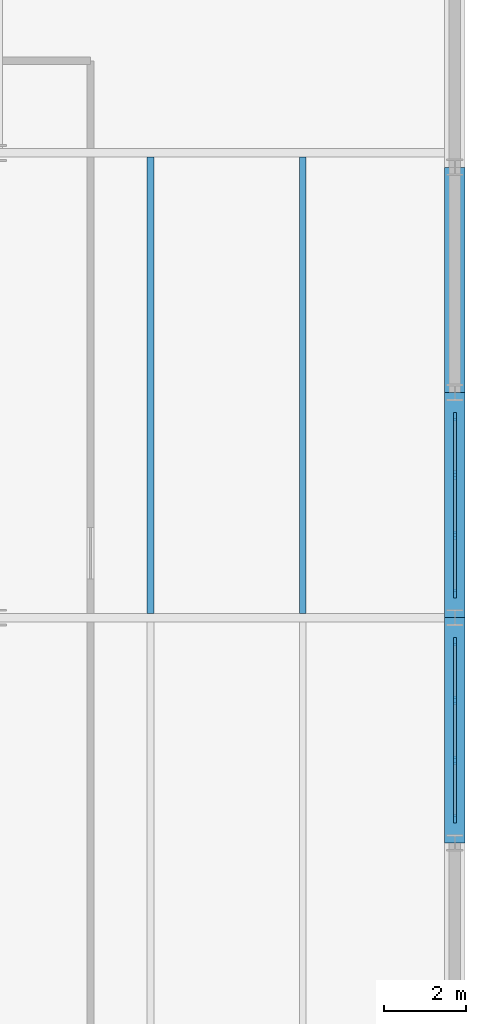
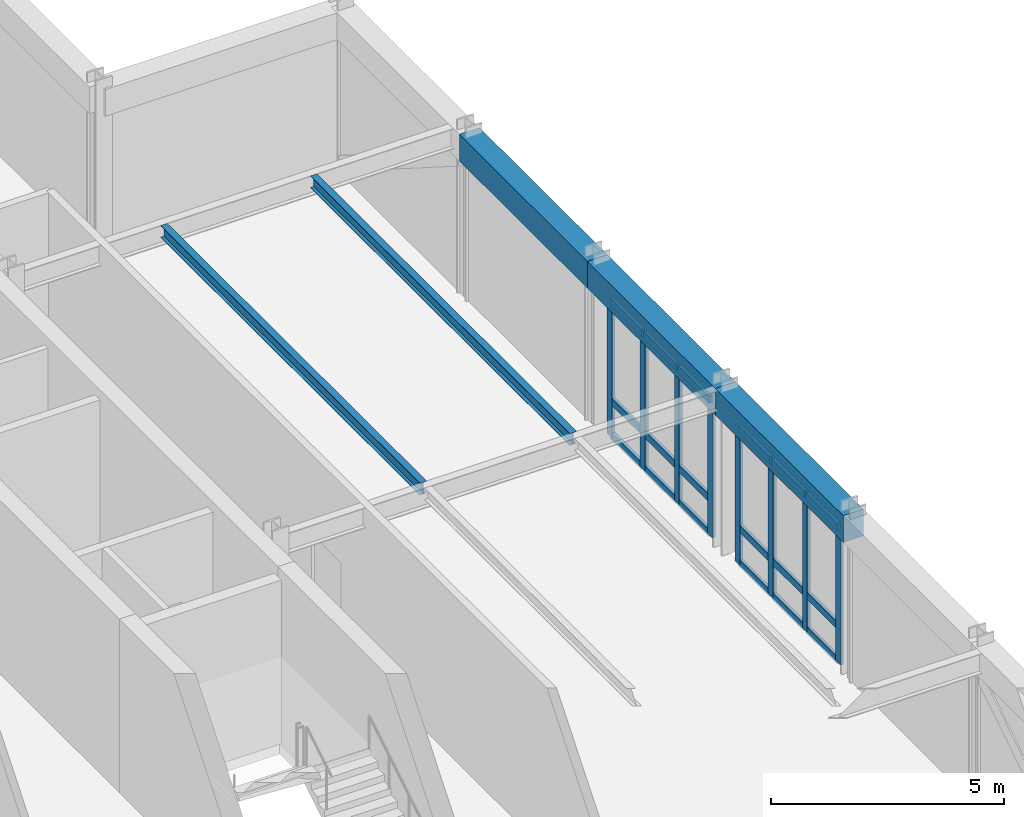
# One storey, part 4 of 9: 26 members, 5 beams, 2 elements without a shape of their own.
"""IFC4 building model written with IfcOpenShell, lengths in metres."""

from ifc_helpers import new_model, si_unit, direction, frame, origin, origin_2d, place, context, subcontext, project, spatial, rectangle, i_section, extrude, material, layer, layer_set, material_profile, profile_set, type_object, element, aggregate, save


model = new_model("IFC4")

# Units and contexts
model_context = context("Model", 3, precision=1e-05, world=origin(), true_north=direction((0.0, 1.0)))
body_context = subcontext(model_context, "Body", "Model", "MODEL_VIEW")
ifc_project = project(units=[si_unit("LENGTHUNIT", "METRE"), si_unit("AREAUNIT", "SQUARE_METRE"), si_unit("VOLUMEUNIT", "CUBIC_METRE"), si_unit("PLANEANGLEUNIT", "RADIAN"), si_unit("MASSUNIT", "GRAM", prefix="KILO")], contexts=[model_context])

# Site, building, storey
site_placement = place(None, origin())
site = spatial("IfcSite", under=ifc_project, at=site_placement, CompositionType="ELEMENT")
building_placement = place(site_placement, origin())
building = spatial("IfcBuilding", under=site, at=building_placement, Name="Nhamokura Convention Tower", CompositionType="ELEMENT")
storey_placement = place(building_placement, frame((0.0, 0.0, 313.25)))
storey = spatial("IfcBuildingStorey", under=building, at=storey_placement, Name="L77", CompositionType="ELEMENT", Elevation=313.25)

# Curtain wall, members
ifc_material_1 = material(Name="Anodised bronze aluminium AA6063-T6", Category="aluminium")
ifc_layer = layer(ifc_material_1, 0.2099609375)
ifc_layer_set = layer_set([ifc_layer], Name="CWSystem_SlantedCrown")
curtain_wall_type = type_object("IfcCurtainWallType", Name="CWSystem_SlantedCrown", PredefinedType="NOTDEFINED", material=ifc_layer_set)
curtain_wall_1_placement = place(storey_placement, origin())
curtain_wall_1 = element("IfcCurtainWall", 1, at=curtain_wall_1_placement, inside=storey, type_object=curtain_wall_type, Name="L77 Curtain Wall ENV-L77-CRCW-E2", PredefinedType="NOTDEFINED")
ifc_material_2 = material(Name="Anodised bronze aluminium AA6063-T6", Category="aluminium")
ifc_material_profile_1 = material_profile(ifc_material_2, rectangle(XDim=0.080078125, YDim=0.2099609375, at=origin_2d()))
ifc_profile_set_1 = profile_set([ifc_material_profile_1], Name="Anodised bronze aluminium AA6063-T6")
member_type_1 = type_object("IfcMemberType", Name="CWMullion_4", PredefinedType="MULLION", material=ifc_profile_set_1)
member_1_placement = place(storey_placement, frame((54.5, 31.409912109375, 0.0), z_axis=(0.0, 0.0, 1.0), x_axis=(1.0, 0.0, 0.0)))
member_1 = element("IfcMember", 2, at=member_1_placement, type_object=member_type_1, Name="CW-07 mullion 1", PredefinedType="MULLION", context=body_context, shape_type="SweptSolid", body=[
    extrude(rectangle(XDim=0.080078125, YDim=0.2099609375, at=origin_2d()), origin(), (0.0, 0.0, 1.0), 3.570068359375),
])
member_2_placement = place(storey_placement, frame((54.5, 29.9833984375, 0.0), z_axis=(0.0, 0.0, 1.0), x_axis=(1.0, 0.0, 0.0)))
member_2 = element("IfcMember", 3, at=member_2_placement, type_object=member_type_1, Name="CW-07 mullion 2", PredefinedType="MULLION", context=body_context, shape_type="SweptSolid", body=[
    extrude(rectangle(XDim=0.080078125, YDim=0.2099609375, at=origin_2d()), origin(), (0.0, 0.0, 1.0), 3.570068359375),
])
member_3_placement = place(storey_placement, frame((54.5, 28.5166015625, 0.0), z_axis=(0.0, 0.0, 1.0), x_axis=(1.0, 0.0, 0.0)))
member_3 = element("IfcMember", 4, at=member_3_placement, type_object=member_type_1, Name="CW-07 mullion 3", PredefinedType="MULLION", context=body_context, shape_type="SweptSolid", body=[
    extrude(rectangle(XDim=0.080078125, YDim=0.2099609375, at=origin_2d()), origin(), (0.0, 0.0, 1.0), 3.570068359375),
])
member_4_placement = place(storey_placement, frame((54.5, 27.090087890625, 0.0), z_axis=(0.0, 0.0, 1.0), x_axis=(1.0, 0.0, 0.0)))
member_4 = element("IfcMember", 5, at=member_4_placement, type_object=member_type_1, Name="CW-07 mullion 4", PredefinedType="MULLION", context=body_context, shape_type="SweptSolid", body=[
    extrude(rectangle(XDim=0.080078125, YDim=0.2099609375, at=origin_2d()), origin(), (0.0, 0.0, 1.0), 3.570068359375),
])

curtain_wall_2_placement = place(storey_placement, origin())
curtain_wall_2 = element("IfcCurtainWall", 6, at=curtain_wall_2_placement, inside=storey, type_object=curtain_wall_type, Name="L77 Curtain Wall ENV-L77-CRCW-E3", PredefinedType="NOTDEFINED")
member_5_placement = place(storey_placement, frame((54.5, 36.909912109375, 0.0), z_axis=(0.0, 0.0, 1.0), x_axis=(1.0, 0.0, 0.0)))
member_5 = element("IfcMember", 7, at=member_5_placement, type_object=member_type_1, Name="CW-07 mullion 1", PredefinedType="MULLION", context=body_context, shape_type="SweptSolid", body=[
    extrude(rectangle(XDim=0.080078125, YDim=0.2099609375, at=origin_2d()), origin(), (0.0, 0.0, 1.0), 3.570068359375),
])
member_6_placement = place(storey_placement, frame((54.5, 35.4833984375, 0.0), z_axis=(0.0, 0.0, 1.0), x_axis=(1.0, 0.0, 0.0)))
member_6 = element("IfcMember", 8, at=member_6_placement, type_object=member_type_1, Name="CW-07 mullion 2", PredefinedType="MULLION", context=body_context, shape_type="SweptSolid", body=[
    extrude(rectangle(XDim=0.080078125, YDim=0.2099609375, at=origin_2d()), origin(), (0.0, 0.0, 1.0), 3.570068359375),
])
member_7_placement = place(storey_placement, frame((54.5, 34.0166015625, 0.0), z_axis=(0.0, 0.0, 1.0), x_axis=(1.0, 0.0, 0.0)))
member_7 = element("IfcMember", 9, at=member_7_placement, type_object=member_type_1, Name="CW-07 mullion 3", PredefinedType="MULLION", context=body_context, shape_type="SweptSolid", body=[
    extrude(rectangle(XDim=0.080078125, YDim=0.2099609375, at=origin_2d()), origin(), (0.0, 0.0, 1.0), 3.570068359375),
])
member_8_placement = place(storey_placement, frame((54.5, 32.590087890625, 0.0), z_axis=(0.0, 0.0, 1.0), x_axis=(1.0, 0.0, 0.0)))
member_8 = element("IfcMember", 10, at=member_8_placement, type_object=member_type_1, Name="CW-07 mullion 4", PredefinedType="MULLION", context=body_context, shape_type="SweptSolid", body=[
    extrude(rectangle(XDim=0.080078125, YDim=0.2099609375, at=origin_2d()), origin(), (0.0, 0.0, 1.0), 3.570068359375),
])

# Member
ifc_material_3 = material(Name="Anodised bronze aluminium AA6063-T6", Category="aluminium")
ifc_material_profile_2 = material_profile(ifc_material_3, rectangle(XDim=0.080078125, YDim=0.18505859375, at=origin_2d()))
ifc_profile_set_2 = profile_set([ifc_material_profile_2], Name="Anodised bronze aluminium AA6063-T6")
member_type_2 = type_object("IfcMemberType", Name="CWTransom_4", PredefinedType="USERDEFINED", material=ifc_profile_set_2)
member_9_placement = place(storey_placement, frame((54.5, 31.3701171875, 0.0400390625), z_axis=(0.0, -1.0, 0.0), x_axis=(1.0, 0.0, 0.0)))
member_9 = element("IfcMember", 11, at=member_9_placement, type_object=member_type_2, Name="CW-07 transom 1.1", ObjectType="TRANSOM", PredefinedType="USERDEFINED", context=body_context, shape_type="SweptSolid", body=[
    extrude(rectangle(XDim=0.080078125, YDim=0.18505859375, at=origin_2d()), origin(), (0.0, 0.0, 1.0), 1.3466796875),
])

member_10_placement = place(storey_placement, frame((54.5, 31.3701171875, 0.949951171875), z_axis=(0.0, -1.0, 0.0), x_axis=(1.0, 0.0, 0.0)))
member_10 = element("IfcMember", 12, at=member_10_placement, type_object=member_type_2, Name="CW-07 transom 1.2", ObjectType="TRANSOM", PredefinedType="USERDEFINED", context=body_context, shape_type="SweptSolid", body=[
    extrude(rectangle(XDim=0.080078125, YDim=0.18505859375, at=origin_2d()), origin(), (0.0, 0.0, 1.0), 1.3466796875),
])

member_11_placement = place(storey_placement, frame((54.5, 31.3701171875, 3.530029296875), z_axis=(0.0, -1.0, 0.0), x_axis=(1.0, 0.0, 0.0)))
member_11 = element("IfcMember", 13, at=member_11_placement, type_object=member_type_2, Name="CW-07 transom 1.3", ObjectType="TRANSOM", PredefinedType="USERDEFINED", context=body_context, shape_type="SweptSolid", body=[
    extrude(rectangle(XDim=0.080078125, YDim=0.18505859375, at=origin_2d()), origin(), (0.0, 0.0, 1.0), 1.3466796875),
])

member_12_placement = place(storey_placement, frame((54.5, 29.943359375, 0.0400390625), z_axis=(0.0, -1.0, 0.0), x_axis=(1.0, 0.0, 0.0)))
member_12 = element("IfcMember", 14, at=member_12_placement, type_object=member_type_2, Name="CW-07 transom 2.1", ObjectType="TRANSOM", PredefinedType="USERDEFINED", context=body_context, shape_type="SweptSolid", body=[
    extrude(rectangle(XDim=0.080078125, YDim=0.18505859375, at=origin_2d()), origin(), (0.0, 0.0, 1.0), 1.38671875),
])

member_13_placement = place(storey_placement, frame((54.5, 29.943359375, 0.949951171875), z_axis=(0.0, -1.0, 0.0), x_axis=(1.0, 0.0, 0.0)))
member_13 = element("IfcMember", 15, at=member_13_placement, type_object=member_type_2, Name="CW-07 transom 2.2", ObjectType="TRANSOM", PredefinedType="USERDEFINED", context=body_context, shape_type="SweptSolid", body=[
    extrude(rectangle(XDim=0.080078125, YDim=0.18505859375, at=origin_2d()), origin(), (0.0, 0.0, 1.0), 1.38671875),
])

member_14_placement = place(storey_placement, frame((54.5, 29.943359375, 3.530029296875), z_axis=(0.0, -1.0, 0.0), x_axis=(1.0, 0.0, 0.0)))
member_14 = element("IfcMember", 16, at=member_14_placement, type_object=member_type_2, Name="CW-07 transom 2.3", ObjectType="TRANSOM", PredefinedType="USERDEFINED", context=body_context, shape_type="SweptSolid", body=[
    extrude(rectangle(XDim=0.080078125, YDim=0.18505859375, at=origin_2d()), origin(), (0.0, 0.0, 1.0), 1.38671875),
])

member_15_placement = place(storey_placement, frame((54.5, 28.4765625, 0.0400390625), z_axis=(0.0, -1.0, 0.0), x_axis=(1.0, 0.0, 0.0)))
member_15 = element("IfcMember", 17, at=member_15_placement, type_object=member_type_2, Name="CW-07 transom 3.1", ObjectType="TRANSOM", PredefinedType="USERDEFINED", context=body_context, shape_type="SweptSolid", body=[
    extrude(rectangle(XDim=0.080078125, YDim=0.18505859375, at=origin_2d()), origin(), (0.0, 0.0, 1.0), 1.3466796875),
])

member_16_placement = place(storey_placement, frame((54.5, 28.4765625, 0.949951171875), z_axis=(0.0, -1.0, 0.0), x_axis=(1.0, 0.0, 0.0)))
member_16 = element("IfcMember", 18, at=member_16_placement, type_object=member_type_2, Name="CW-07 transom 3.2", ObjectType="TRANSOM", PredefinedType="USERDEFINED", context=body_context, shape_type="SweptSolid", body=[
    extrude(rectangle(XDim=0.080078125, YDim=0.18505859375, at=origin_2d()), origin(), (0.0, 0.0, 1.0), 1.3466796875),
])

member_17_placement = place(storey_placement, frame((54.5, 28.4765625, 3.530029296875), z_axis=(0.0, -1.0, 0.0), x_axis=(1.0, 0.0, 0.0)))
member_17 = element("IfcMember", 19, at=member_17_placement, type_object=member_type_2, Name="CW-07 transom 3.3", ObjectType="TRANSOM", PredefinedType="USERDEFINED", context=body_context, shape_type="SweptSolid", body=[
    extrude(rectangle(XDim=0.080078125, YDim=0.18505859375, at=origin_2d()), origin(), (0.0, 0.0, 1.0), 1.3466796875),
])

aggregate(curtain_wall_1, [member_1, member_2, member_3, member_4, member_9, member_10, member_11, member_12, member_13, member_14, member_15, member_16, member_17])

member_18_placement = place(storey_placement, frame((54.5, 36.8701171875, 0.0400390625), z_axis=(0.0, -1.0, 0.0), x_axis=(1.0, 0.0, 0.0)))
member_18 = element("IfcMember", 20, at=member_18_placement, type_object=member_type_2, Name="CW-07 transom 1.1", ObjectType="TRANSOM", PredefinedType="USERDEFINED", context=body_context, shape_type="SweptSolid", body=[
    extrude(rectangle(XDim=0.080078125, YDim=0.18505859375, at=origin_2d()), origin(), (0.0, 0.0, 1.0), 1.3466796875),
])

member_19_placement = place(storey_placement, frame((54.5, 36.8701171875, 0.949951171875), z_axis=(0.0, -1.0, 0.0), x_axis=(1.0, 0.0, 0.0)))
member_19 = element("IfcMember", 21, at=member_19_placement, type_object=member_type_2, Name="CW-07 transom 1.2", ObjectType="TRANSOM", PredefinedType="USERDEFINED", context=body_context, shape_type="SweptSolid", body=[
    extrude(rectangle(XDim=0.080078125, YDim=0.18505859375, at=origin_2d()), origin(), (0.0, 0.0, 1.0), 1.3466796875),
])

member_20_placement = place(storey_placement, frame((54.5, 36.8701171875, 3.530029296875), z_axis=(0.0, -1.0, 0.0), x_axis=(1.0, 0.0, 0.0)))
member_20 = element("IfcMember", 22, at=member_20_placement, type_object=member_type_2, Name="CW-07 transom 1.3", ObjectType="TRANSOM", PredefinedType="USERDEFINED", context=body_context, shape_type="SweptSolid", body=[
    extrude(rectangle(XDim=0.080078125, YDim=0.18505859375, at=origin_2d()), origin(), (0.0, 0.0, 1.0), 1.3466796875),
])

member_21_placement = place(storey_placement, frame((54.5, 35.443359375, 0.0400390625), z_axis=(0.0, -1.0, 0.0), x_axis=(1.0, 0.0, 0.0)))
member_21 = element("IfcMember", 23, at=member_21_placement, type_object=member_type_2, Name="CW-07 transom 2.1", ObjectType="TRANSOM", PredefinedType="USERDEFINED", context=body_context, shape_type="SweptSolid", body=[
    extrude(rectangle(XDim=0.080078125, YDim=0.18505859375, at=origin_2d()), origin(), (0.0, 0.0, 1.0), 1.38671875),
])

member_22_placement = place(storey_placement, frame((54.5, 35.443359375, 0.949951171875), z_axis=(0.0, -1.0, 0.0), x_axis=(1.0, 0.0, 0.0)))
member_22 = element("IfcMember", 24, at=member_22_placement, type_object=member_type_2, Name="CW-07 transom 2.2", ObjectType="TRANSOM", PredefinedType="USERDEFINED", context=body_context, shape_type="SweptSolid", body=[
    extrude(rectangle(XDim=0.080078125, YDim=0.18505859375, at=origin_2d()), origin(), (0.0, 0.0, 1.0), 1.38671875),
])

member_23_placement = place(storey_placement, frame((54.5, 35.443359375, 3.530029296875), z_axis=(0.0, -1.0, 0.0), x_axis=(1.0, 0.0, 0.0)))
member_23 = element("IfcMember", 25, at=member_23_placement, type_object=member_type_2, Name="CW-07 transom 2.3", ObjectType="TRANSOM", PredefinedType="USERDEFINED", context=body_context, shape_type="SweptSolid", body=[
    extrude(rectangle(XDim=0.080078125, YDim=0.18505859375, at=origin_2d()), origin(), (0.0, 0.0, 1.0), 1.38671875),
])

member_24_placement = place(storey_placement, frame((54.5, 33.9765625, 0.0400390625), z_axis=(0.0, -1.0, 0.0), x_axis=(1.0, 0.0, 0.0)))
member_24 = element("IfcMember", 26, at=member_24_placement, type_object=member_type_2, Name="CW-07 transom 3.1", ObjectType="TRANSOM", PredefinedType="USERDEFINED", context=body_context, shape_type="SweptSolid", body=[
    extrude(rectangle(XDim=0.080078125, YDim=0.18505859375, at=origin_2d()), origin(), (0.0, 0.0, 1.0), 1.3466796875),
])

member_25_placement = place(storey_placement, frame((54.5, 33.9765625, 0.949951171875), z_axis=(0.0, -1.0, 0.0), x_axis=(1.0, 0.0, 0.0)))
member_25 = element("IfcMember", 27, at=member_25_placement, type_object=member_type_2, Name="CW-07 transom 3.2", ObjectType="TRANSOM", PredefinedType="USERDEFINED", context=body_context, shape_type="SweptSolid", body=[
    extrude(rectangle(XDim=0.080078125, YDim=0.18505859375, at=origin_2d()), origin(), (0.0, 0.0, 1.0), 1.3466796875),
])

member_26_placement = place(storey_placement, frame((54.5, 33.9765625, 3.530029296875), z_axis=(0.0, -1.0, 0.0), x_axis=(1.0, 0.0, 0.0)))
member_26 = element("IfcMember", 28, at=member_26_placement, type_object=member_type_2, Name="CW-07 transom 3.3", ObjectType="TRANSOM", PredefinedType="USERDEFINED", context=body_context, shape_type="SweptSolid", body=[
    extrude(rectangle(XDim=0.080078125, YDim=0.18505859375, at=origin_2d()), origin(), (0.0, 0.0, 1.0), 1.3466796875),
])

aggregate(curtain_wall_2, [member_5, member_6, member_7, member_8, member_18, member_19, member_20, member_21, member_22, member_23, member_24, member_25, member_26])

# Beams
ifc_material_4 = material(Name="Steel ASTM A992 Gr 50", Category="steel")
ifc_material_profile_3 = material_profile(ifc_material_4, i_section(OverallWidth=0.166015625, OverallDepth=0.31298828125, WebThickness=0.006591796875, FlangeThickness=0.01123046875, at=origin_2d()))
ifc_profile_set_3 = profile_set([ifc_material_profile_3], Name="Steel ASTM A992 Gr 50")
beam_type_1 = type_object("IfcBeamType", Name="FloorJoist_W310X45", PredefinedType="JOIST", material=ifc_profile_set_3)
for number, where, z_axis, x_axis, name in (
    (29, (47.066650390625, 32.1025390625, 4.133544921875), (0.0, 1.0, 0.0), (-1.0, 0.0, 0.0), "L77 Composite Floor Joist E1B"),
    (30, (50.783203125, 32.1025390625, 4.133544921875), (0.0, 1.0, 0.0), (-1.0, 0.0, 0.0), "L77 Composite Floor Joist E2B"),
):
    element("IfcBeam", number, at=place(storey_placement, frame(where, z_axis=z_axis, x_axis=x_axis)), inside=storey, type_object=beam_type_1, Name=name, PredefinedType="JOIST", context=body_context, shape_type="SweptSolid", body=[
        extrude(i_section(OverallWidth=0.166015625, OverallDepth=0.31298828125, WebThickness=0.006591796875, FlangeThickness=0.01123046875, at=origin_2d()), origin(), (0.0, 0.0, 1.0), 11.14501953125),
    ])
ifc_material_5 = material(Name="Concrete C50/60", Category="concrete")
ifc_material_profile_4 = material_profile(ifc_material_5, rectangle(XDim=0.5, YDim=0.699951171875, at=origin_2d()))
ifc_profile_set_4 = profile_set([ifc_material_profile_4], Name="Concrete C50/60")
beam_type_2 = type_object("IfcBeamType", Name="TubeSpandrel_700", PredefinedType="SPANDREL", material=ifc_profile_set_4)
for number, where, z_axis, x_axis, name in (
    (31, (54.5, 26.5, 3.93994140625), (0.0, 1.0, 0.0), (-1.0, 0.0, 0.0), "L77 Perimeter Spandrel EAST 3"),
    (32, (54.5, 32.0, 3.93994140625), (0.0, 1.0, 0.0), (-1.0, 0.0, 0.0), "L77 Perimeter Spandrel EAST 4"),
    (33, (54.5, 37.5, 3.93994140625), (0.0, 1.0, 0.0), (-1.0, 0.0, 0.0), "L77 Perimeter Spandrel EAST 5"),
):
    element("IfcBeam", number, at=place(storey_placement, frame(where, z_axis=z_axis, x_axis=x_axis)), inside=storey, type_object=beam_type_2, Name=name, PredefinedType="SPANDREL", context=body_context, shape_type="SweptSolid", body=[
        extrude(rectangle(XDim=0.5, YDim=0.699951171875, at=origin_2d()), origin(), (0.0, 0.0, 1.0), 5.5),
    ])

save(model, "model.ifc")
